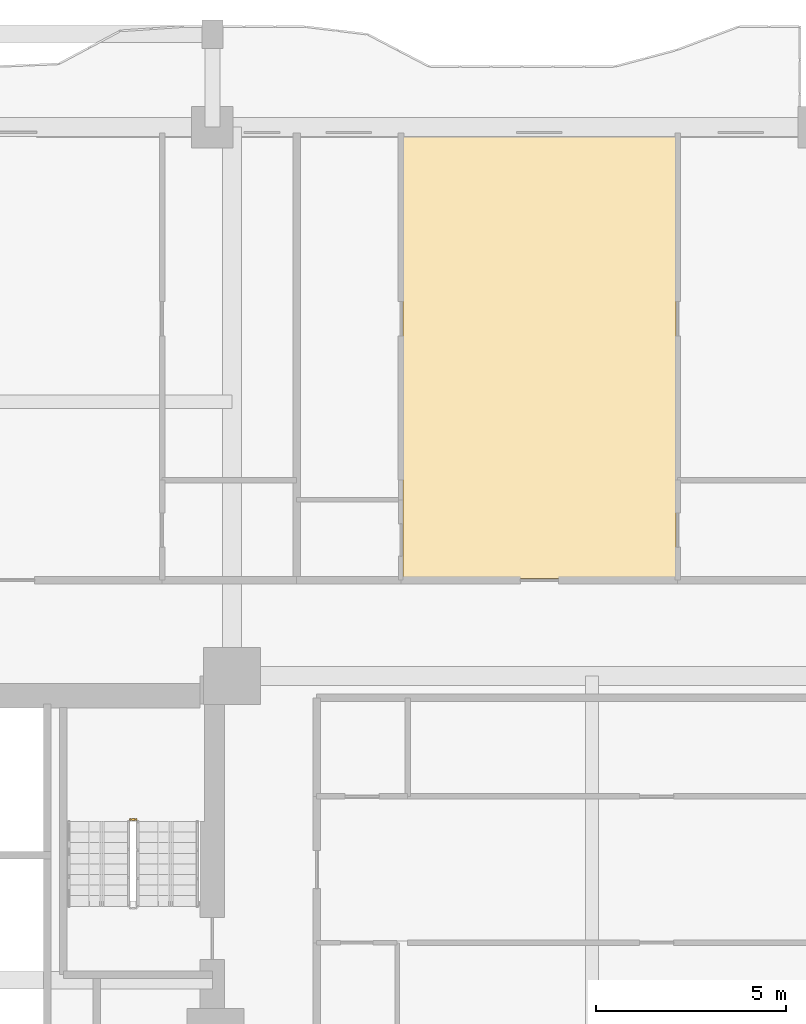
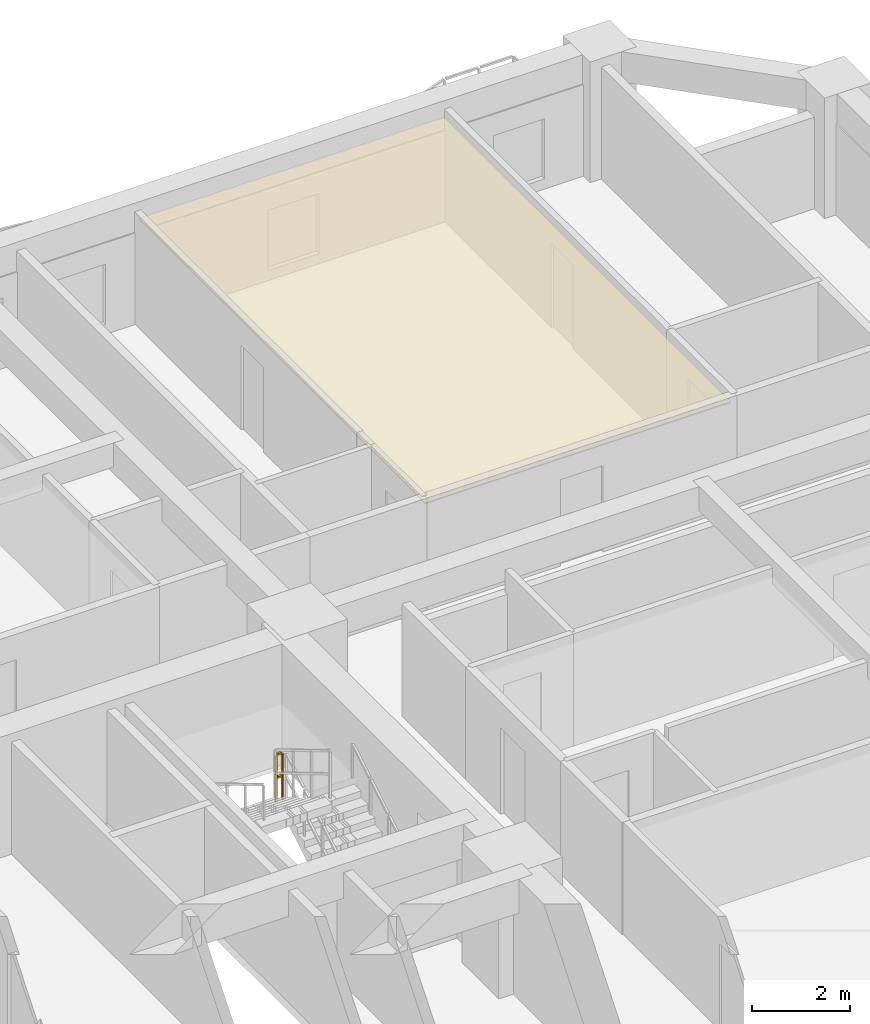
# One storey, part 15 of 15: 1 covering, 1 railing.
"""IFC4 building model written with IfcOpenShell, lengths in metres."""

from ifc_helpers import new_model, si_unit, direction, frame, origin, origin_2d, place, context, subcontext, project, spatial, polyline, rectangle, outline, extrude, material, layer, layer_set, type_object, element, save


model = new_model("IFC4")

# Units and contexts
model_context = context("Model", 3, precision=1e-05, world=origin(), true_north=direction((0.0, 1.0)))
body_context = subcontext(model_context, "Body", "Model", "MODEL_VIEW")
ifc_project = project(units=[si_unit("LENGTHUNIT", "METRE"), si_unit("AREAUNIT", "SQUARE_METRE"), si_unit("VOLUMEUNIT", "CUBIC_METRE"), si_unit("PLANEANGLEUNIT", "RADIAN"), si_unit("MASSUNIT", "GRAM", prefix="KILO")], contexts=[model_context])

# Site, building, storey
site_placement = place(None, origin())
site = spatial("IfcSite", under=ifc_project, at=site_placement, CompositionType="ELEMENT")
building_placement = place(site_placement, origin())
building = spatial("IfcBuilding", under=site, at=building_placement, Name="Saelheon Loggia Tower", CompositionType="ELEMENT")
storey_placement = place(building_placement, frame((0.0, 0.0, 49.39990234375)))
storey = spatial("IfcBuildingStorey", under=building, at=storey_placement, Name="L15", CompositionType="ELEMENT", Elevation=49.39990234375)

# Covering
ifc_material_1 = material(Name="Mineral-Fibre Acoustic Ceiling Board", Category="gypsum")
ifc_layer = layer(ifc_material_1, 0.02490234375)
ifc_layer_set = layer_set([ifc_layer], Name="Mineral-Fibre Acoustic Ceiling Board")
covering_type = type_object("IfcCoveringType", Name="Cov_Ceiling_Acoustic", PredefinedType="CEILING", material=ifc_layer_set)
covering_placement = place(storey_placement, frame((0.0, 0.0, 2.53515625)))
element("IfcCovering", 1, at=covering_placement, inside=storey, type_object=covering_type, Name="L15 Acoustic Suspended Ceiling", PredefinedType="CEILING", context=body_context, shape_type="SweptSolid", body=[
    extrude(outline(polyline([(49.523193359375, 39.10009765625), (56.721923828125, 39.10009765625), (56.721923828125, 50.800048828125), (49.523193359375, 50.800048828125), (49.523193359375, 39.10009765625)])), origin(), (0.0, 0.0, 1.0), 0.02490234375),
])

# Railing
ifc_material_2 = material(Name="Galvanised Steel S275 Stairwell Guardrail", Category="steel")
railing_type = type_object("IfcRailingType", Name="Guard_StairWell_RL_STG", PredefinedType="GUARDRAIL", material=ifc_material_2)
railing_placement = place(storey_placement, frame((42.489990234375, 32.739990234375, 1.5)))
element("IfcRailing", 2, at=railing_placement, inside=storey, type_object=railing_type, Name="L15 ST2 stair guard 2", PredefinedType="GUARDRAIL", context=body_context, shape_type="SweptSolid", body=[
    extrude(rectangle(XDim=0.048095703125, YDim=0.048095703125, at=origin_2d()), frame((-0.033203125, 0.0, 1.17578125), z_axis=(-1.0, 0.0, 0.0), x_axis=(0.0, -1.0, 0.0)), (0.0, 0.0, 1.0), 0.093505859375),
    extrude(rectangle(XDim=0.048095703125, YDim=0.048095703125, at=origin_2d()), frame((-0.033203125, 0.0, 0.60009765625), z_axis=(-1.0, 0.0, 0.0), x_axis=(0.0, -1.0, 0.0)), (0.0, 0.0, 1.0), 0.093505859375),
    extrude(rectangle(XDim=0.0419921875, YDim=0.0419921875, at=origin_2d()), origin(), (0.0, 0.0, 1.0), 1.14794921875),
    extrude(rectangle(XDim=0.0419921875, YDim=0.0419921875, at=origin_2d()), frame((-0.159912109375, 0.0, 0.0)), (0.0, 0.0, 1.0), 1.14794921875),
])

save(model, "model.ifc")
